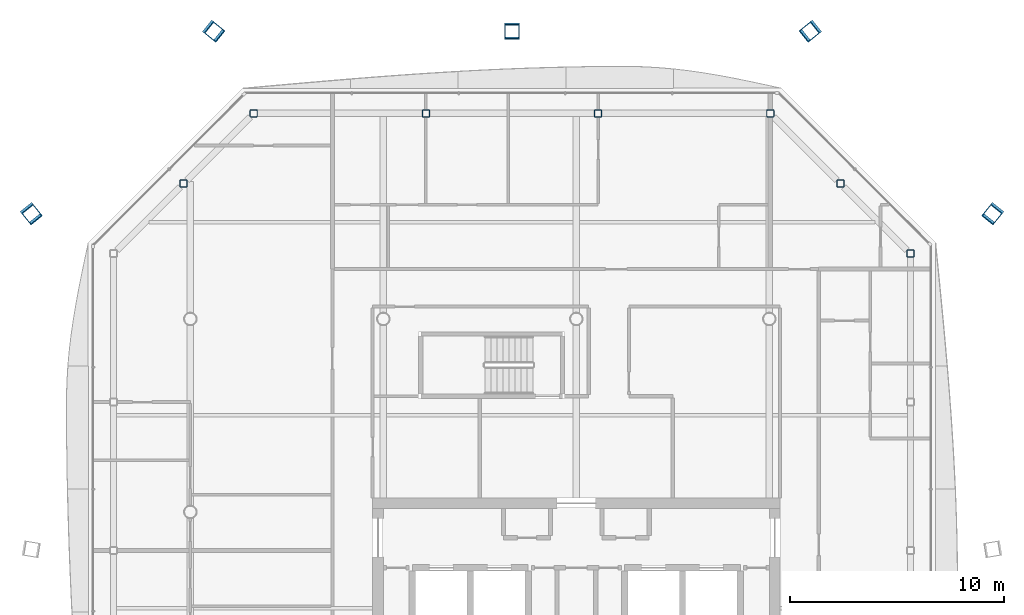
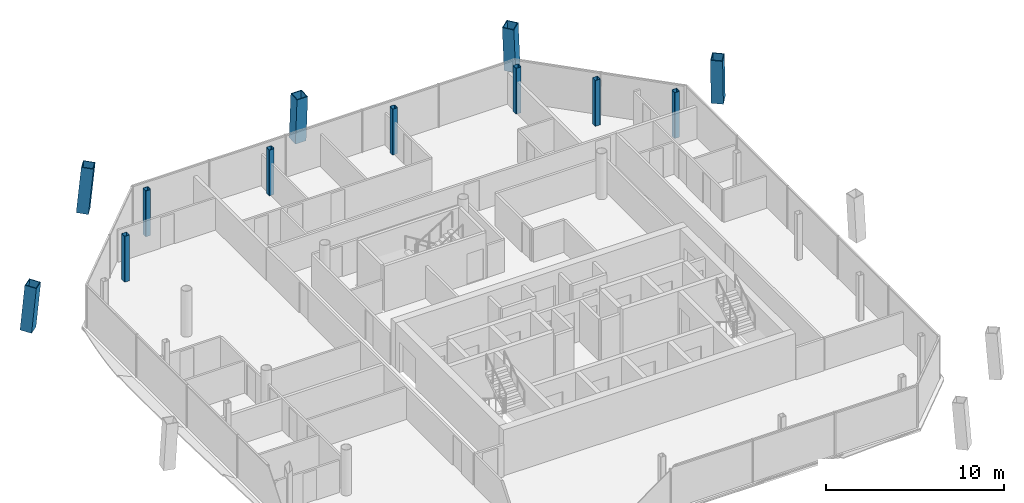
# One storey, part 3 of 19: 12 columns.
"""IFC4 building model written with IfcOpenShell, lengths in metres."""

from ifc_helpers import new_model, si_unit, direction, frame, origin, origin_2d, place, context, subcontext, project, spatial, hollow_rectangle, extrude, material, material_profile, profile_set, type_object, element, save


model = new_model("IFC4")

# Units and contexts
model_context = context("Model", 3, precision=1e-05, world=origin(), true_north=direction((0.0, 1.0)))
body_context = subcontext(model_context, "Body", "Model", "MODEL_VIEW")
ifc_project = project(units=[si_unit("LENGTHUNIT", "METRE"), si_unit("AREAUNIT", "SQUARE_METRE"), si_unit("VOLUMEUNIT", "CUBIC_METRE"), si_unit("PLANEANGLEUNIT", "RADIAN"), si_unit("MASSUNIT", "GRAM", prefix="KILO")], contexts=[model_context])

# Site, building, storey
site_placement = place(None, origin())
site = spatial("IfcSite", under=ifc_project, at=site_placement, CompositionType="ELEMENT")
building_placement = place(site_placement, origin())
building = spatial("IfcBuilding", under=site, at=building_placement, Name="Tskaro Facet Tower", CompositionType="ELEMENT")
storey_placement = place(building_placement, frame((0.0, 0.0, 203.699951171875)))
storey = spatial("IfcBuildingStorey", under=building, at=storey_placement, Name="L52", CompositionType="ELEMENT", Elevation=203.699951171875)

# Columns
ifc_material_1 = material(Name="Steel S460M", Category="steel")
ifc_material_profile_1 = material_profile(ifc_material_1, hollow_rectangle(XDim=0.699951171875, YDim=0.699951171875, WallThickness=0.044921875, at=origin_2d()), Name="BOX 700x700x45")
ifc_profile_set_1 = profile_set([ifc_material_profile_1], Name="Steel S460M")
column_type_1 = type_object("IfcColumnType", Name="BOX 700x700x45 mega column", PredefinedType="COLUMN", material=ifc_profile_set_1)
for number, where, z_axis, x_axis, name in (
    (1, (19.449951171875, 13.949951171875, 0.0), (-0.057495444386, -0.071386961151, 0.995790226731), (0.778811034489, -0.627258616967, 0.0), "BOX 700x700x45 MC06/4"),
    (2, (10.949951171875, 22.449951171875, 0.0), (-0.071386961151, -0.057495444386, 0.995790226731), (0.627258616967, -0.778811034489, 0.0), "BOX 700x700x45 MC07/4"),
):
    element("IfcColumn", number, at=place(storey_placement, frame(where, z_axis=z_axis, x_axis=x_axis)), inside=storey, type_object=column_type_1, Name=name, PredefinedType="COLUMN", context=body_context, shape_type="SweptSolid", body=[
        extrude(hollow_rectangle(XDim=0.699951171875, YDim=0.699951171875, WallThickness=0.044921875, at=origin_2d()), origin(), (0.0, 0.0, 1.0), 3.16357421875),
    ])
column_placement = place(storey_placement, frame((-3.0, 22.449951171875, 0.0), z_axis=(0.0, -0.057642507929, 0.998337288335), x_axis=(1.0, 0.0, 0.0)))
element("IfcColumn", 3, at=column_placement, inside=storey, type_object=column_type_1, Name="BOX 700x700x45 MC08/4", PredefinedType="COLUMN", context=body_context, shape_type="SweptSolid", body=[
    extrude(hollow_rectangle(XDim=0.699951171875, YDim=0.699951171875, WallThickness=0.044921875, at=origin_2d()), origin(), (0.0, 0.0, 1.0), 3.1552734375),
])
for number, where, z_axis, x_axis, name in (
    (4, (-16.949951171875, 22.449951171875, 0.0), (0.071386961151, -0.057495444386, 0.995790226731), (0.627258616967, 0.778811034489, 0.0), "BOX 700x700x45 MC09/4"),
    (5, (-25.449951171875, 13.949951171875, 0.0), (0.057495444386, -0.071386961151, 0.995790226731), (0.778811034489, 0.627258616967, 0.0), "BOX 700x700x45 MC10/4"),
):
    element("IfcColumn", number, at=place(storey_placement, frame(where, z_axis=z_axis, x_axis=x_axis)), inside=storey, type_object=column_type_1, Name=name, PredefinedType="COLUMN", context=body_context, shape_type="SweptSolid", body=[
        extrude(hollow_rectangle(XDim=0.699951171875, YDim=0.699951171875, WallThickness=0.044921875, at=origin_2d()), origin(), (0.0, 0.0, 1.0), 3.16357421875),
    ])
ifc_material_2 = material(Name="Steel S355J2H", Category="steel")
ifc_material_profile_2 = material_profile(ifc_material_2, hollow_rectangle(XDim=0.35009765625, YDim=0.35009765625, WallThickness=0.02001953125, InnerFilletRadius=0.030029296875, OuterFilletRadius=0.050048828125, at=origin_2d()), Name="SHS 350x350x20")
ifc_profile_set_2 = profile_set([ifc_material_profile_2], Name="Steel S355J2H")
column_type_2 = type_object("IfcColumnType", Name="SHS 350x350x20 ring column", PredefinedType="COLUMN", material=ifc_profile_set_2)
for number, where, z_axis, x_axis, name in (
    (6, (15.5830078125, 12.0458984375, 0.0), (0.0, 0.0, 1.0), (1.0, 0.0, 0.0), "SHS 350x350x20 RNE-1/4"),
    (7, (12.31396484375, 15.31396484375, 0.0), (0.0, 0.0, 1.0), (1.0, 0.0, 0.0), "SHS 350x350x20 RNE-2/4"),
    (8, (9.0458984375, 18.5830078125, 0.0), (0.0, 0.0, 1.0), (1.0, 0.0, 0.0), "SHS 350x350x20 RN-1/4"),
    (9, (1.014892578125, 18.5830078125, 0.0), (0.0, 0.0, 1.0), (1.0, 0.0, 0.0), "SHS 350x350x20 RN-2/4"),
    (10, (-7.014892578125, 18.5830078125, 0.0), (0.0, 0.0, 1.0), (1.0, 0.0, 0.0), "SHS 350x350x20 RN-3/4"),
    (11, (-15.0458984375, 18.5830078125, 0.0), (0.0, 0.0, 1.0), (1.0, 0.0, 0.0), "SHS 350x350x20 RNW-1/4"),
    (12, (-18.31396484375, 15.31396484375, 0.0), (0.0, 0.0, 1.0), (1.0, 0.0, 0.0), "SHS 350x350x20 RNW-2/4"),
):
    element("IfcColumn", number, at=place(storey_placement, frame(where, z_axis=z_axis, x_axis=x_axis)), inside=storey, type_object=column_type_2, Name=name, PredefinedType="COLUMN", context=body_context, shape_type="SweptSolid", body=[
        extrude(hollow_rectangle(XDim=0.35009765625, YDim=0.35009765625, WallThickness=0.02001953125, InnerFilletRadius=0.030029296875, OuterFilletRadius=0.050048828125, at=origin_2d()), origin(), (0.0, 0.0, 1.0), 3.150146484375),
    ])

save(model, "model.ifc")
